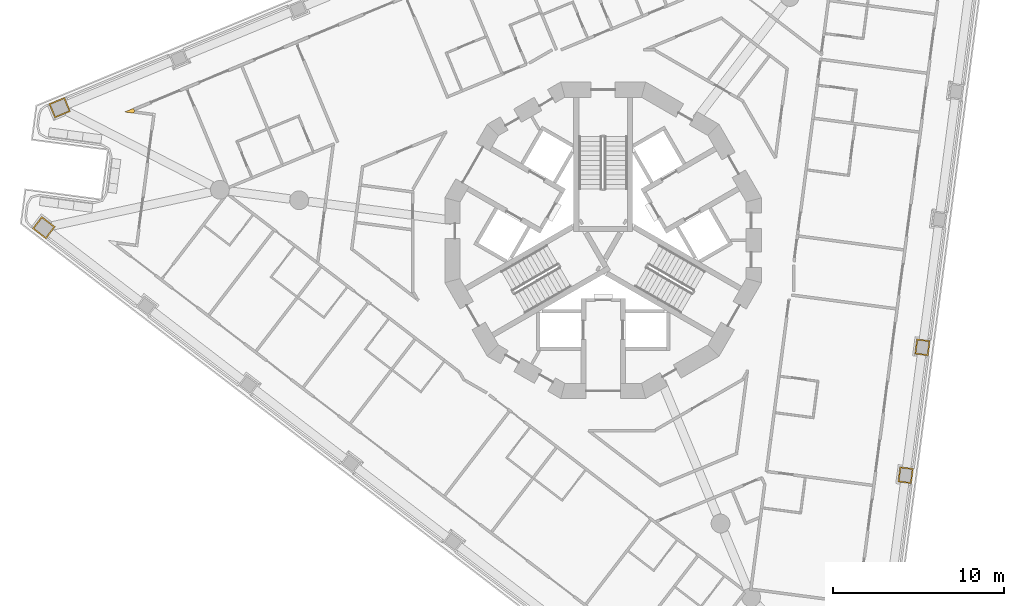
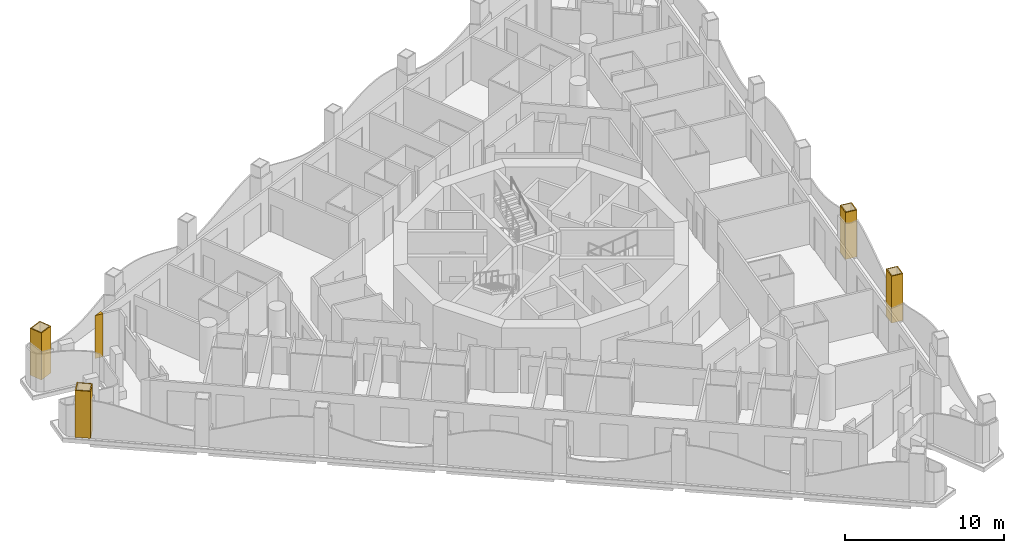
# One storey, part 14 of 17: 5 coverings.
"""IFC4 building model written with IfcOpenShell, lengths in metres."""

from ifc_helpers import new_model, si_unit, direction, frame, origin, place, context, subcontext, project, spatial, polyline, outline, extrude, material, layer, layer_set, type_object, element, save


model = new_model("IFC4")

# Units and contexts
model_context = context("Model", 3, precision=1e-05, world=origin(), true_north=direction((0.0, 1.0)))
body_context = subcontext(model_context, "Body", "Model", "MODEL_VIEW")
ifc_project = project(units=[si_unit("LENGTHUNIT", "METRE"), si_unit("AREAUNIT", "SQUARE_METRE"), si_unit("VOLUMEUNIT", "CUBIC_METRE"), si_unit("PLANEANGLEUNIT", "RADIAN"), si_unit("MASSUNIT", "GRAM", prefix="KILO")], contexts=[model_context])

# Site, building, storey
site_placement = place(None, origin())
site = spatial("IfcSite", under=ifc_project, at=site_placement, CompositionType="ELEMENT")
building_placement = place(site_placement, origin())
building = spatial("IfcBuilding", under=site, at=building_placement, Name="Trine Commons Tower", CompositionType="ELEMENT")
storey_placement = place(building_placement, frame((0.0, 0.0, 138.60009765625)))
storey = spatial("IfcBuildingStorey", under=building, at=storey_placement, Name="L35", CompositionType="ELEMENT", Elevation=138.60009765625)

# Coverings
ifc_material_1 = material(Name="Aluminium-framed insulated wall panel", Category="aluminium")
ifc_layer_1 = layer(ifc_material_1, 0.14990234375)
ifc_layer_set_1 = layer_set([ifc_layer_1], Name="Aluminium-framed insulated wall panel")
covering_type_1 = type_object("IfcCoveringType", Name="Glazing corner post, aluminium", PredefinedType="CLADDING", material=ifc_layer_set_1)
covering_1_placement = place(storey_placement, origin())
element("IfcCovering", 1, at=covering_1_placement, inside=storey, type_object=covering_type_1, Name="Glazing corner post 4-04", PredefinedType="CLADDING", context=body_context, shape_type="SweptSolid", body=[
    extrude(outline(polyline([(52.53369140625, 69.938720703125), (52.553466796875, 70.08740234375), (52.49609375, 70.22607421875), (51.978759765625, 70.01171875), (52.53369140625, 69.938720703125)])), origin(), (0.0, 0.0, 1.0), 3.2998046875),
])
ifc_material_2 = material(Name="Limestone, honed", Category="masonry")
ifc_layer_2 = layer(ifc_material_2, 0.074951171875)
ifc_layer_set_2 = layer_set([ifc_layer_2], Name="Limestone, honed")
covering_type_2 = type_object("IfcCoveringType", Name="Limestone column cladding 75", PredefinedType="CLADDING", material=ifc_layer_set_2)
covering_2_placement = place(storey_placement, origin())
element("IfcCovering", 2, at=covering_2_placement, inside=storey, type_object=covering_type_2, Name="Limestone pier cladding 4-08", PredefinedType="CLADDING", context=body_context, shape_type="SweptSolid", body=[
    extrude(outline(polyline([(47.1259765625, 63.898193359375), (46.578125, 63.18408203125), (47.371337890625, 62.5751953125), (47.919189453125, 63.289306640625), (47.1259765625, 63.898193359375)]), holes=[polyline([(47.139892578125, 63.79296875), (46.68310546875, 63.197998046875), (47.357666015625, 62.680419921875), (47.814208984375, 63.275390625), (47.139892578125, 63.79296875)])]), origin(), (0.0, 0.0, 1.0), 3.599853515625),
])
covering_3_placement = place(storey_placement, origin())
element("IfcCovering", 3, at=covering_3_placement, inside=storey, type_object=covering_type_2, Name="Limestone pier cladding 4-09", PredefinedType="CLADDING", context=body_context, shape_type="SweptSolid", body=[
    extrude(outline(polyline([(48.80810546875, 70.04052734375), (48.463623046875, 70.8720703125), (47.539794921875, 70.489501953125), (47.88427734375, 69.657958984375), (48.80810546875, 70.04052734375)]), holes=[polyline([(48.710205078125, 70.081298828125), (48.423095703125, 70.774169921875), (47.6376953125, 70.44873046875), (47.9248046875, 69.755859375), (48.710205078125, 70.081298828125)])]), origin(), (0.0, 0.0, 1.0), 3.599853515625),
])
covering_4_placement = place(storey_placement, origin())
element("IfcCovering", 4, at=covering_4_placement, inside=storey, type_object=covering_type_2, Name="Limestone pier cladding 4-21", PredefinedType="CLADDING", context=body_context, shape_type="SweptSolid", body=[
    extrude(outline(polyline([(99.150146484375, 56.6240234375), (98.35693359375, 56.728515625), (98.239501953125, 55.836181640625), (99.03271484375, 55.731689453125), (99.150146484375, 56.6240234375)]), holes=[polyline([(99.06591796875, 56.5595703125), (98.42138671875, 56.644287109375), (98.323486328125, 55.90087890625), (98.968017578125, 55.81591796875), (99.06591796875, 56.5595703125)])]), origin(), (0.0, 0.0, 1.0), 3.599853515625),
])
covering_5_placement = place(storey_placement, origin())
element("IfcCovering", 5, at=covering_5_placement, inside=storey, type_object=covering_type_2, Name="Limestone pier cladding 4-22", PredefinedType="CLADDING", context=body_context, shape_type="SweptSolid", body=[
    extrude(outline(polyline([(98.164306640625, 49.13671875), (97.371337890625, 49.2412109375), (97.25390625, 48.34912109375), (98.046875, 48.244384765625), (98.164306640625, 49.13671875)]), holes=[polyline([(98.080322265625, 49.072265625), (97.435791015625, 49.156982421875), (97.337890625, 48.41357421875), (97.982421875, 48.32861328125), (98.080322265625, 49.072265625)])]), origin(), (0.0, 0.0, 1.0), 3.599853515625),
])

save(model, "model.ifc")
